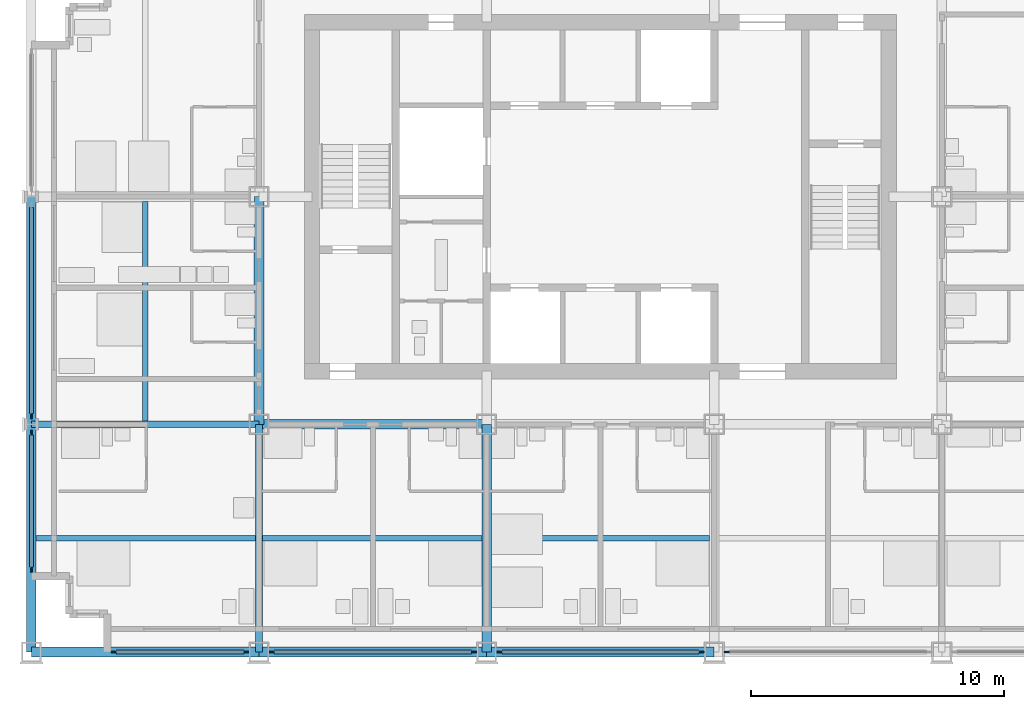
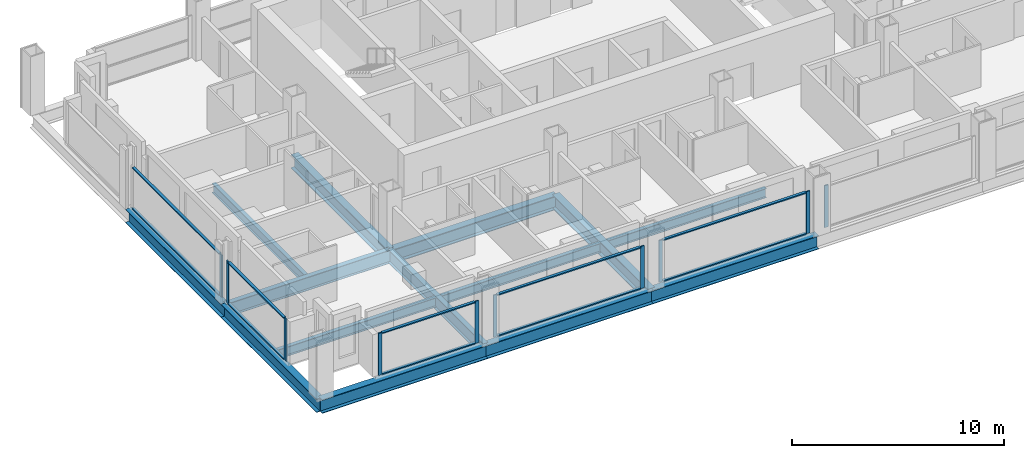
# One storey, part 2 of 14: 20 members, 14 beams, 6 elements without a shape of their own.
"""IFC4 building model written with IfcOpenShell, lengths in metres."""

from ifc_helpers import new_model, si_unit, direction, frame, origin, origin_2d, place, context, subcontext, project, spatial, rectangle, i_section, extrude, material, material_profile, profile_set, type_object, element, aggregate, save


model = new_model("IFC4")

# Units and contexts
model_context = context("Model", 3, precision=1e-05, world=origin(), true_north=direction((0.0, 1.0)))
body_context = subcontext(model_context, "Body", "Model", "MODEL_VIEW")
ifc_project = project(units=[si_unit("LENGTHUNIT", "METRE"), si_unit("AREAUNIT", "SQUARE_METRE"), si_unit("VOLUMEUNIT", "CUBIC_METRE"), si_unit("PLANEANGLEUNIT", "RADIAN"), si_unit("MASSUNIT", "GRAM", prefix="KILO")], contexts=[model_context])

# Site, building, storey
site_placement = place(None, origin())
site = spatial("IfcSite", under=ifc_project, at=site_placement, CompositionType="ELEMENT")
building_placement = place(site_placement, origin())
building = spatial("IfcBuilding", under=site, at=building_placement, Name="Loomwork Tower", CompositionType="ELEMENT")
storey_placement = place(building_placement, frame((0.0, 0.0, 170.60009765625)))
storey = spatial("IfcBuildingStorey", under=building, at=storey_placement, Name="L46", CompositionType="ELEMENT", Elevation=170.60009765625)

# Beams
ifc_material_1 = material(Name="Steel ASTM A992", Category="steel")
ifc_material_profile_1 = material_profile(ifc_material_1, i_section(OverallWidth=0.383544921875, OverallDepth=0.794921875, WebThickness=0.02099609375, FlangeThickness=0.0380859375, at=origin_2d()), Name="W30x235")
ifc_profile_set_1 = profile_set([ifc_material_profile_1], Name="Steel ASTM A992")
beam_type_1 = type_object("IfcBeamType", Name="CORE FLANK GIRDER W30x235", PredefinedType="BEAM", material=ifc_profile_set_1)
for number, where, z_axis, x_axis, name in (
    (1, (9.0, 9.0, -0.59765625), (1.0, 0.0, 0.0), (0.0, 1.0, 0.0), "Core Flank Girder E/3-E/4 L46"),
    (2, (9.0, 9.0, -0.59765625), (0.0, 1.0, 0.0), (-1.0, 0.0, 0.0), "Core Flank Girder E/3-F/3 L46"),
    (3, (18.0, 0.0, -0.59765625), (0.0, 1.0, 0.0), (-1.0, 0.0, 0.0), "Core Flank Girder D/4-E/4 L46"),
):
    element("IfcBeam", number, at=place(storey_placement, frame(where, z_axis=z_axis, x_axis=x_axis)), inside=storey, type_object=beam_type_1, Name=name, PredefinedType="BEAM", context=body_context, shape_type="SweptSolid", body=[
        extrude(i_section(OverallWidth=0.383544921875, OverallDepth=0.794921875, WebThickness=0.02099609375, FlangeThickness=0.0380859375, at=origin_2d()), origin(), (0.0, 0.0, 1.0), 9.0),
    ])
ifc_material_2 = material(Name="Steel ASTM A992", Category="steel")
ifc_material_profile_2 = material_profile(ifc_material_2, i_section(OverallWidth=0.2666015625, OverallDepth=0.761962890625, WebThickness=0.014404296875, FlangeThickness=0.021484375, at=origin_2d()), Name="W30x116")
ifc_profile_set_2 = profile_set([ifc_material_profile_2], Name="Steel ASTM A992")
beam_type_2 = type_object("IfcBeamType", Name="FLOOR GIRDER W30x116", PredefinedType="BEAM", material=ifc_profile_set_2)
for number, where, z_axis, x_axis, name in (
    (4, (0.0, 9.0, -0.5810546875), (1.0, 0.0, 0.0), (0.0, 1.0, 0.0), "Floor Girder E/2-E/3 L46"),
    (5, (9.0, 0.0, -0.5810546875), (0.0, 1.0, 0.0), (-1.0, 0.0, 0.0), "Floor Girder D/3-E/3 L46"),
):
    element("IfcBeam", number, at=place(storey_placement, frame(where, z_axis=z_axis, x_axis=x_axis)), inside=storey, type_object=beam_type_2, Name=name, PredefinedType="BEAM", context=body_context, shape_type="SweptSolid", body=[
        extrude(i_section(OverallWidth=0.2666015625, OverallDepth=0.761962890625, WebThickness=0.014404296875, FlangeThickness=0.021484375, at=origin_2d()), origin(), (0.0, 0.0, 1.0), 9.0),
    ])
ifc_material_3 = material(Name="Steel ASTM A992", Category="steel")
ifc_material_profile_3 = material_profile(ifc_material_3, i_section(OverallWidth=0.2109375, OverallDepth=0.53857421875, WebThickness=0.011474609375, FlangeThickness=0.018798828125, at=origin_2d()), Name="W21x73")
ifc_profile_set_3 = profile_set([ifc_material_profile_3], Name="Steel ASTM A992")
beam_type_3 = type_object("IfcBeamType", Name="FLOOR JOIST W21x73", PredefinedType="JOIST", material=ifc_profile_set_3)
beam_1_placement = place(storey_placement, frame((0.18994140625, 4.5, -0.46923828125), z_axis=(1.0, 0.0, 0.0), x_axis=(0.0, 1.0, 0.0)))
element("IfcBeam", 6, at=beam_1_placement, inside=storey, type_object=beam_type_3, Name="Floor Joist 0.000,4.500-9.000,4.500 L46", PredefinedType="JOIST", context=body_context, shape_type="SweptSolid", body=[
    extrude(i_section(OverallWidth=0.2109375, OverallDepth=0.53857421875, WebThickness=0.011474609375, FlangeThickness=0.018798828125, at=origin_2d()), origin(), (0.0, 0.0, 1.0), 8.677001953125),
])
for number, where, z_axis, x_axis, name in (
    (7, (4.5, 9.133056640625, -0.46923828125), (0.0, 1.0, 0.0), (-1.0, 0.0, 0.0), "Floor Joist 4.500,9.000-4.500,18.000 L46"),
    (8, (9.133056640625, 4.5, -0.46923828125), (1.0, 0.0, 0.0), (0.0, 1.0, 0.0), "Floor Joist 9.000,4.500-18.000,4.500 L46"),
):
    element("IfcBeam", number, at=place(storey_placement, frame(where, z_axis=z_axis, x_axis=x_axis)), inside=storey, type_object=beam_type_3, Name=name, PredefinedType="JOIST", context=body_context, shape_type="SweptSolid", body=[
        extrude(i_section(OverallWidth=0.2109375, OverallDepth=0.53857421875, WebThickness=0.011474609375, FlangeThickness=0.018798828125, at=origin_2d()), origin(), (0.0, 0.0, 1.0), 8.676025390625),
    ])
beam_2_placement = place(storey_placement, frame((18.19091796875, 4.5, -0.46923828125), z_axis=(1.0, 0.0, 0.0), x_axis=(0.0, 1.0, 0.0)))
element("IfcBeam", 9, at=beam_2_placement, inside=storey, type_object=beam_type_3, Name="Floor Joist 18.000,4.500-27.000,4.500 L46", PredefinedType="JOIST", context=body_context, shape_type="SweptSolid", body=[
    extrude(i_section(OverallWidth=0.2109375, OverallDepth=0.53857421875, WebThickness=0.011474609375, FlangeThickness=0.018798828125, at=origin_2d()), origin(), (0.0, 0.0, 1.0), 8.6181640625),
])

# Curtain wall, members
ifc_material_4 = material(Name="Aluminium curtain wall frame", Category="aluminium")
curtain_wall_type = type_object("IfcCurtainWallType", Name="Outer skin glazing hotel", PredefinedType="NOTDEFINED", material=ifc_material_4)
curtain_wall_1_placement = place(storey_placement, origin())
curtain_wall_1 = element("IfcCurtainWall", 10, at=curtain_wall_1_placement, inside=storey, type_object=curtain_wall_type, Name="Outer skin glazing hotel cw/S-0", PredefinedType="NOTDEFINED")
ifc_material_5 = material(Name="Aluminium curtain wall frame", Category="aluminium")
ifc_material_profile_4 = material_profile(ifc_material_5, rectangle(XDim=0.06494140625, YDim=0.199951171875, at=origin_2d()), Name="AL 65x200")
ifc_profile_set_4 = profile_set([ifc_material_profile_4], Name="Aluminium curtain wall frame")
member_type_1 = type_object("IfcMemberType", Name="Outer skin glazing hotel mullion", PredefinedType="MULLION", material=ifc_profile_set_4)
member_1_placement = place(storey_placement, frame((3.25, 0.0, 0.0), z_axis=(0.0, 0.0, 1.0), x_axis=(0.0, 1.0, 0.0)))
member_1 = element("IfcMember", 11, at=member_1_placement, type_object=member_type_1, Name="CW1 mullion 1", PredefinedType="MULLION", context=body_context, shape_type="SweptSolid", body=[
    extrude(rectangle(XDim=0.06494140625, YDim=0.199951171875, at=origin_2d()), origin(), (0.0, 0.0, 1.0), 2.420166015625),
])
member_2_placement = place(storey_placement, frame((8.5, 0.0, 0.0), z_axis=(0.0, 0.0, 1.0), x_axis=(0.0, 1.0, 0.0)))
member_2 = element("IfcMember", 12, at=member_2_placement, type_object=member_type_1, Name="CW1 mullion 2", PredefinedType="MULLION", context=body_context, shape_type="SweptSolid", body=[
    extrude(rectangle(XDim=0.06494140625, YDim=0.199951171875, at=origin_2d()), origin(), (0.0, 0.0, 1.0), 2.420166015625),
])

curtain_wall_2_placement = place(storey_placement, origin())
curtain_wall_2 = element("IfcCurtainWall", 13, at=curtain_wall_2_placement, inside=storey, type_object=curtain_wall_type, Name="Outer skin glazing hotel cw/S-9", PredefinedType="NOTDEFINED")
member_3_placement = place(storey_placement, frame((9.5, 0.0, 0.0), z_axis=(0.0, 0.0, 1.0), x_axis=(0.0, 1.0, 0.0)))
member_3 = element("IfcMember", 14, at=member_3_placement, type_object=member_type_1, Name="CW1 mullion 1", PredefinedType="MULLION", context=body_context, shape_type="SweptSolid", body=[
    extrude(rectangle(XDim=0.06494140625, YDim=0.199951171875, at=origin_2d()), origin(), (0.0, 0.0, 1.0), 2.420166015625),
])
member_4_placement = place(storey_placement, frame((17.5, 0.0, 0.0), z_axis=(0.0, 0.0, 1.0), x_axis=(0.0, 1.0, 0.0)))
member_4 = element("IfcMember", 15, at=member_4_placement, type_object=member_type_1, Name="CW1 mullion 2", PredefinedType="MULLION", context=body_context, shape_type="SweptSolid", body=[
    extrude(rectangle(XDim=0.06494140625, YDim=0.199951171875, at=origin_2d()), origin(), (0.0, 0.0, 1.0), 2.420166015625),
])

curtain_wall_3_placement = place(storey_placement, origin())
curtain_wall_3 = element("IfcCurtainWall", 16, at=curtain_wall_3_placement, inside=storey, type_object=curtain_wall_type, Name="Outer skin glazing hotel cw/S-18", PredefinedType="NOTDEFINED")
member_5_placement = place(storey_placement, frame((18.5, 0.0, 0.0), z_axis=(0.0, 0.0, 1.0), x_axis=(0.0, 1.0, 0.0)))
member_5 = element("IfcMember", 17, at=member_5_placement, type_object=member_type_1, Name="CW1 mullion 1", PredefinedType="MULLION", context=body_context, shape_type="SweptSolid", body=[
    extrude(rectangle(XDim=0.06494140625, YDim=0.199951171875, at=origin_2d()), origin(), (0.0, 0.0, 1.0), 2.420166015625),
])
member_6_placement = place(storey_placement, frame((26.5, 0.0, 0.0), z_axis=(0.0, 0.0, 1.0), x_axis=(0.0, 1.0, 0.0)))
member_6 = element("IfcMember", 18, at=member_6_placement, type_object=member_type_1, Name="CW1 mullion 2", PredefinedType="MULLION", context=body_context, shape_type="SweptSolid", body=[
    extrude(rectangle(XDim=0.06494140625, YDim=0.199951171875, at=origin_2d()), origin(), (0.0, 0.0, 1.0), 2.420166015625),
])

# Curtain wall, member
curtain_wall_4_placement = place(storey_placement, origin())
curtain_wall_4 = element("IfcCurtainWall", 19, at=curtain_wall_4_placement, inside=storey, type_object=curtain_wall_type, Name="Outer skin glazing hotel cw/S-27", PredefinedType="NOTDEFINED")
member_7_placement = place(storey_placement, frame((27.5, 0.0, 0.0), z_axis=(0.0, 0.0, 1.0), x_axis=(0.0, 1.0, 0.0)))
member_7 = element("IfcMember", 20, at=member_7_placement, type_object=member_type_1, Name="CW1 mullion 1", PredefinedType="MULLION", context=body_context, shape_type="SweptSolid", body=[
    extrude(rectangle(XDim=0.06494140625, YDim=0.199951171875, at=origin_2d()), origin(), (0.0, 0.0, 1.0), 2.420166015625),
])
aggregate(curtain_wall_4, [member_7])

# Curtain wall, members
curtain_wall_5_placement = place(storey_placement, origin())
curtain_wall_5 = element("IfcCurtainWall", 21, at=curtain_wall_5_placement, inside=storey, type_object=curtain_wall_type, Name="Outer skin glazing hotel cw/W-0", PredefinedType="NOTDEFINED")
member_8_placement = place(storey_placement, frame((0.0, 8.67529296875, 0.0), z_axis=(0.0, 0.0, 1.0), x_axis=(1.0, 0.0, 0.0)))
member_8 = element("IfcMember", 22, at=member_8_placement, type_object=member_type_1, Name="CW1 mullion 1", PredefinedType="MULLION", context=body_context, shape_type="SweptSolid", body=[
    extrude(rectangle(XDim=0.06494140625, YDim=0.199951171875, at=origin_2d()), origin(), (0.0, 0.0, 1.0), 2.420166015625),
])
member_9_placement = place(storey_placement, frame((0.0, 3.25, 0.0), z_axis=(0.0, 0.0, 1.0), x_axis=(1.0, 0.0, 0.0)))
member_9 = element("IfcMember", 23, at=member_9_placement, type_object=member_type_1, Name="CW1 mullion 2", PredefinedType="MULLION", context=body_context, shape_type="SweptSolid", body=[
    extrude(rectangle(XDim=0.06494140625, YDim=0.199951171875, at=origin_2d()), origin(), (0.0, 0.0, 1.0), 2.420166015625),
])

# Curtain wall, member
curtain_wall_6_placement = place(storey_placement, origin())
curtain_wall_6 = element("IfcCurtainWall", 24, at=curtain_wall_6_placement, inside=storey, type_object=curtain_wall_type, Name="Outer skin glazing hotel cw/W-9", PredefinedType="NOTDEFINED")
member_10_placement = place(storey_placement, frame((0.0, 9.32470703125, 0.0), z_axis=(0.0, 0.0, 1.0), x_axis=(1.0, 0.0, 0.0)))
member_10 = element("IfcMember", 25, at=member_10_placement, type_object=member_type_1, Name="CW1 mullion 2", PredefinedType="MULLION", context=body_context, shape_type="SweptSolid", body=[
    extrude(rectangle(XDim=0.06494140625, YDim=0.199951171875, at=origin_2d()), origin(), (0.0, 0.0, 1.0), 2.420166015625),
])

# Member
ifc_material_6 = material(Name="Aluminium curtain wall frame", Category="aluminium")
ifc_material_profile_5 = material_profile(ifc_material_6, rectangle(XDim=0.14990234375, YDim=0.06494140625, at=origin_2d()), Name="AL 65x150")
ifc_profile_set_5 = profile_set([ifc_material_profile_5], Name="Aluminium curtain wall frame")
member_type_2 = type_object("IfcMemberType", Name="Outer skin glazing hotel transom", PredefinedType="USERDEFINED", material=ifc_profile_set_5)
member_11_placement = place(storey_placement, frame((3.35009765625, 0.0, 0.032470703125), z_axis=(1.0, 0.0, 0.0), x_axis=(0.0, 1.0, 0.0)))
member_11 = element("IfcMember", 26, at=member_11_placement, type_object=member_type_2, Name="CW1 transom 1.1", ObjectType="TRANSOM", PredefinedType="USERDEFINED", context=body_context, shape_type="SweptSolid", body=[
    extrude(rectangle(XDim=0.14990234375, YDim=0.06494140625, at=origin_2d()), origin(), (0.0, 0.0, 1.0), 5.0498046875),
])

member_12_placement = place(storey_placement, frame((3.35009765625, 0.0, 2.3876953125), z_axis=(1.0, 0.0, 0.0), x_axis=(0.0, 1.0, 0.0)))
member_12 = element("IfcMember", 27, at=member_12_placement, type_object=member_type_2, Name="CW1 transom 1.2", ObjectType="TRANSOM", PredefinedType="USERDEFINED", context=body_context, shape_type="SweptSolid", body=[
    extrude(rectangle(XDim=0.14990234375, YDim=0.06494140625, at=origin_2d()), origin(), (0.0, 0.0, 1.0), 5.0498046875),
])

aggregate(curtain_wall_1, [member_1, member_2, member_11, member_12])

member_13_placement = place(storey_placement, frame((9.60009765625, 0.0, 0.032470703125), z_axis=(1.0, 0.0, 0.0), x_axis=(0.0, 1.0, 0.0)))
member_13 = element("IfcMember", 28, at=member_13_placement, type_object=member_type_2, Name="CW1 transom 1.1", ObjectType="TRANSOM", PredefinedType="USERDEFINED", context=body_context, shape_type="SweptSolid", body=[
    extrude(rectangle(XDim=0.14990234375, YDim=0.06494140625, at=origin_2d()), origin(), (0.0, 0.0, 1.0), 7.7998046875),
])

member_14_placement = place(storey_placement, frame((9.60009765625, 0.0, 2.3876953125), z_axis=(1.0, 0.0, 0.0), x_axis=(0.0, 1.0, 0.0)))
member_14 = element("IfcMember", 29, at=member_14_placement, type_object=member_type_2, Name="CW1 transom 1.2", ObjectType="TRANSOM", PredefinedType="USERDEFINED", context=body_context, shape_type="SweptSolid", body=[
    extrude(rectangle(XDim=0.14990234375, YDim=0.06494140625, at=origin_2d()), origin(), (0.0, 0.0, 1.0), 7.7998046875),
])

aggregate(curtain_wall_2, [member_3, member_4, member_13, member_14])

member_15_placement = place(storey_placement, frame((18.60009765625, 0.0, 0.032470703125), z_axis=(1.0, 0.0, 0.0), x_axis=(0.0, 1.0, 0.0)))
member_15 = element("IfcMember", 30, at=member_15_placement, type_object=member_type_2, Name="CW1 transom 1.1", ObjectType="TRANSOM", PredefinedType="USERDEFINED", context=body_context, shape_type="SweptSolid", body=[
    extrude(rectangle(XDim=0.14990234375, YDim=0.06494140625, at=origin_2d()), origin(), (0.0, 0.0, 1.0), 7.7998046875),
])

member_16_placement = place(storey_placement, frame((18.60009765625, 0.0, 2.3876953125), z_axis=(1.0, 0.0, 0.0), x_axis=(0.0, 1.0, 0.0)))
member_16 = element("IfcMember", 31, at=member_16_placement, type_object=member_type_2, Name="CW1 transom 1.2", ObjectType="TRANSOM", PredefinedType="USERDEFINED", context=body_context, shape_type="SweptSolid", body=[
    extrude(rectangle(XDim=0.14990234375, YDim=0.06494140625, at=origin_2d()), origin(), (0.0, 0.0, 1.0), 7.7998046875),
])

aggregate(curtain_wall_3, [member_5, member_6, member_15, member_16])

member_17_placement = place(storey_placement, frame((0.0, 8.5751953125, 0.032470703125), z_axis=(0.0, -1.0, 0.0), x_axis=(1.0, 0.0, 0.0)))
member_17 = element("IfcMember", 32, at=member_17_placement, type_object=member_type_2, Name="CW1 transom 1.1", ObjectType="TRANSOM", PredefinedType="USERDEFINED", context=body_context, shape_type="SweptSolid", body=[
    extrude(rectangle(XDim=0.14990234375, YDim=0.06494140625, at=origin_2d()), origin(), (0.0, 0.0, 1.0), 5.22509765625),
])

member_18_placement = place(storey_placement, frame((0.0, 8.5751953125, 2.3876953125), z_axis=(0.0, -1.0, 0.0), x_axis=(1.0, 0.0, 0.0)))
member_18 = element("IfcMember", 33, at=member_18_placement, type_object=member_type_2, Name="CW1 transom 1.2", ObjectType="TRANSOM", PredefinedType="USERDEFINED", context=body_context, shape_type="SweptSolid", body=[
    extrude(rectangle(XDim=0.14990234375, YDim=0.06494140625, at=origin_2d()), origin(), (0.0, 0.0, 1.0), 5.22509765625),
])

aggregate(curtain_wall_5, [member_8, member_9, member_17, member_18])

member_19_placement = place(storey_placement, frame((0.0, 17.5751953125, 0.032470703125), z_axis=(0.0, -1.0, 0.0), x_axis=(1.0, 0.0, 0.0)))
member_19 = element("IfcMember", 34, at=member_19_placement, type_object=member_type_2, Name="CW1 transom 1.1", ObjectType="TRANSOM", PredefinedType="USERDEFINED", context=body_context, shape_type="SweptSolid", body=[
    extrude(rectangle(XDim=0.14990234375, YDim=0.06494140625, at=origin_2d()), origin(), (0.0, 0.0, 1.0), 8.150390625),
])

member_20_placement = place(storey_placement, frame((0.0, 17.5751953125, 2.3876953125), z_axis=(0.0, -1.0, 0.0), x_axis=(1.0, 0.0, 0.0)))
member_20 = element("IfcMember", 35, at=member_20_placement, type_object=member_type_2, Name="CW1 transom 1.2", ObjectType="TRANSOM", PredefinedType="USERDEFINED", context=body_context, shape_type="SweptSolid", body=[
    extrude(rectangle(XDim=0.14990234375, YDim=0.06494140625, at=origin_2d()), origin(), (0.0, 0.0, 1.0), 8.150390625),
])

aggregate(curtain_wall_6, [member_10, member_19, member_20])

# Beams
ifc_material_7 = material(Name="Steel ASTM A992", Category="steel")
ifc_material_profile_6 = material_profile(ifc_material_7, i_section(OverallWidth=0.381103515625, OverallDepth=0.77978515625, WebThickness=0.01806640625, FlangeThickness=0.0302734375, at=origin_2d()), Name="W30x191")
ifc_profile_set_6 = profile_set([ifc_material_profile_6], Name="Steel ASTM A992")
beam_type_4 = type_object("IfcBeamType", Name="SPANDREL GIRDER W30x191", PredefinedType="SPANDREL", material=ifc_profile_set_6)
for number, where, z_axis, x_axis, name in (
    (36, (0.0, 0.0, -0.590087890625), (1.0, 0.0, 0.0), (0.0, 1.0, 0.0), "Spandrel Girder D/2-D/3 L46"),
    (37, (9.0, 0.0, -0.590087890625), (1.0, 0.0, 0.0), (0.0, 1.0, 0.0), "Spandrel Girder D/3-D/4 L46"),
    (38, (18.0, 0.0, -0.590087890625), (1.0, 0.0, 0.0), (0.0, 1.0, 0.0), "Spandrel Girder D/4-D/5 L46"),
    (39, (0.0, 0.0, -0.590087890625), (0.0, 1.0, 0.0), (-1.0, 0.0, 0.0), "Spandrel Girder D/2-E/2 L46"),
    (40, (0.0, 9.0, -0.590087890625), (0.0, 1.0, 0.0), (-1.0, 0.0, 0.0), "Spandrel Girder E/2-F/2 L46"),
):
    element("IfcBeam", number, at=place(storey_placement, frame(where, z_axis=z_axis, x_axis=x_axis)), inside=storey, type_object=beam_type_4, Name=name, PredefinedType="SPANDREL", context=body_context, shape_type="SweptSolid", body=[
        extrude(i_section(OverallWidth=0.381103515625, OverallDepth=0.77978515625, WebThickness=0.01806640625, FlangeThickness=0.0302734375, at=origin_2d()), origin(), (0.0, 0.0, 1.0), 9.0),
    ])

save(model, "model.ifc")
